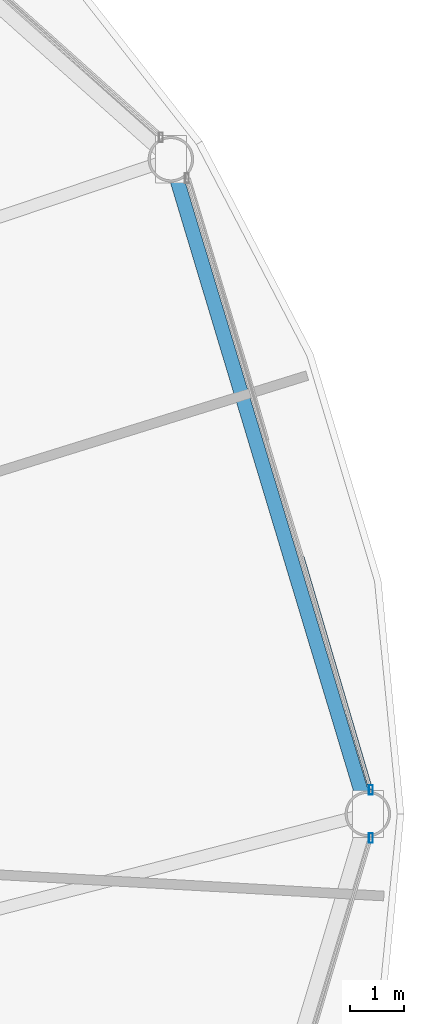
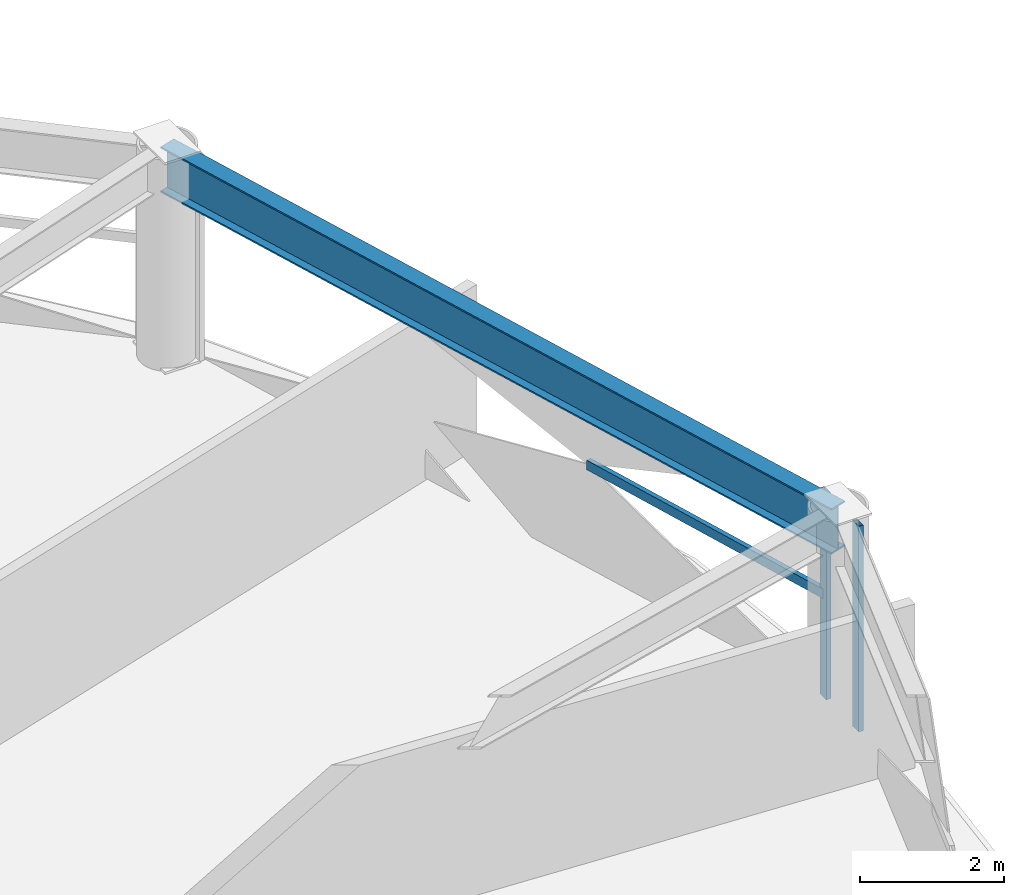
# One storey, part 12 of 29: 3 members, 1 beam, 2 elements without a shape of their own.
"""IFC4 building model written with IfcOpenShell, lengths in metres."""

from ifc_helpers import new_model, si_unit, direction, frame, origin, origin_2d, place, context, subcontext, project, spatial, hollow_rectangle, i_section, extrude, material, layer, layer_set, material_profile, profile_set, type_object, element, aggregate, save


model = new_model("IFC4")

# Units and contexts
model_context = context("Model", 3, precision=1e-05, world=origin(), true_north=direction((0.0, 1.0)))
body_context = subcontext(model_context, "Body", "Model", "MODEL_VIEW")
ifc_project = project(units=[si_unit("LENGTHUNIT", "METRE"), si_unit("AREAUNIT", "SQUARE_METRE"), si_unit("VOLUMEUNIT", "CUBIC_METRE"), si_unit("PLANEANGLEUNIT", "RADIAN"), si_unit("MASSUNIT", "GRAM", prefix="KILO")], contexts=[model_context])

# Site, building, storey
site_placement = place(None, origin())
site = spatial("IfcSite", under=ifc_project, at=site_placement, CompositionType="ELEMENT")
building_placement = place(site_placement, origin())
building = spatial("IfcBuilding", under=site, at=building_placement, Name="Vantalir Tower", CompositionType="ELEMENT")
storey_placement = place(building_placement, frame((0.0, 0.0, 60.75)))
storey = spatial("IfcBuildingStorey", under=building, at=storey_placement, Name="L14", CompositionType="ELEMENT", Elevation=60.75)

# Beam
ifc_material_1 = material(Name="Steel S460", Category="steel")
ifc_material_profile_1 = material_profile(ifc_material_1, i_section(OverallWidth=0.26806640625, OverallDepth=0.77001953125, WebThickness=0.015625, FlangeThickness=0.025390625, at=origin_2d()), Name="Steel S460")
ifc_profile_set_1 = profile_set([ifc_material_profile_1], Name="Steel S460")
beam_type = type_object("IfcBeamType", Name="BM-RG-762x267", PredefinedType="USERDEFINED", material=ifc_profile_set_1)
beam_placement = place(storey_placement, frame((58.950927734375, 25.0, 3.18505859375), z_axis=(-0.28809870996, 0.957600717063, 0.0), x_axis=(-0.957600717063, -0.28809870996, 0.0)))
element("IfcBeam", 1, at=beam_placement, inside=storey, type_object=beam_type, Name="L14 Circumferential Ring Girder 01", ObjectType="GIRDER", PredefinedType="USERDEFINED", context=body_context, shape_type="SweptSolid", body=[
    extrude(i_section(OverallWidth=0.26806640625, OverallDepth=0.77001953125, WebThickness=0.015625, FlangeThickness=0.025390625, at=origin_2d()), origin(), (0.0, 0.0, 1.0), 12.766357421875),
])

# Curtain wall, member
ifc_material_2 = material(Name="Champagne-silver PVDF aluminium and double-silver Low-E glass", Category="aluminium")
ifc_layer = layer(ifc_material_2, 0.18994140625)
ifc_layer_set = layer_set([ifc_layer], Name="Champagne-silver PVDF aluminium and double-silver Low-E glass")
curtain_wall_type = type_object("IfcCurtainWallType", Name="CW-DIAMOND-Z1", PredefinedType="USERDEFINED", material=ifc_layer_set)
curtain_wall_1_placement = place(storey_placement, origin())
curtain_wall_1 = element("IfcCurtainWall", 2, at=curtain_wall_1_placement, inside=storey, type_object=curtain_wall_type, Name="L14 Quilted Pyramid-Diamond Curtain Wall S01", ObjectType="UNITISED CURTAIN WALL", PredefinedType="USERDEFINED")
ifc_material_3 = material(Name="Champagne-silver PVDF aluminium 6063-T6", Category="aluminium")
ifc_material_profile_2 = material_profile(ifc_material_3, hollow_rectangle(XDim=0.074951171875, YDim=0.179931640625, WallThickness=0.00390625, at=origin_2d()), Name="Champagne-silver PVDF aluminium 6063-T6")
ifc_profile_set_2 = profile_set([ifc_material_profile_2], Name="Champagne-silver PVDF aluminium 6063-T6")
member_type_1 = type_object("IfcMemberType", Name="CWM-180x75", PredefinedType="MULLION", material=ifc_profile_set_2)
member_1_placement = place(storey_placement, frame((59.006103515625, 25.449951171875, 0.044921875), z_axis=(0.0, 0.0, 1.0), x_axis=(1.0, 0.0, 0.0)))
member_1 = element("IfcMember", 3, at=member_1_placement, type_object=member_type_1, Name="CW-L14-S01 Mullion 1", PredefinedType="MULLION", context=body_context, shape_type="SweptSolid", body=[
    extrude(hollow_rectangle(XDim=0.074951171875, YDim=0.179931640625, WallThickness=0.00390625, at=origin_2d()), origin(), (0.0, 0.0, 1.0), 3.47998046875),
])

curtain_wall_2_placement = place(storey_placement, origin())
curtain_wall_2 = element("IfcCurtainWall", 4, at=curtain_wall_2_placement, inside=storey, type_object=curtain_wall_type, Name="L14 Quilted Pyramid-Diamond Curtain Wall S12", ObjectType="UNITISED CURTAIN WALL", PredefinedType="USERDEFINED")
member_2_placement = place(storey_placement, frame((59.006103515625, 24.550048828125, 0.044921875), z_axis=(0.0, 0.0, 1.0), x_axis=(1.0, 0.0, 0.0)))
member_2 = element("IfcMember", 5, at=member_2_placement, type_object=member_type_1, Name="CW-L14-S12 Mullion 2", PredefinedType="MULLION", context=body_context, shape_type="SweptSolid", body=[
    extrude(hollow_rectangle(XDim=0.074951171875, YDim=0.179931640625, WallThickness=0.00390625, at=origin_2d()), origin(), (0.0, 0.0, 1.0), 3.47998046875),
])
aggregate(curtain_wall_2, [member_2])

# Member
ifc_material_profile_3 = material_profile(ifc_material_3, hollow_rectangle(XDim=0.074951171875, YDim=0.159912109375, WallThickness=0.00390625, at=origin_2d()), Name="Champagne-silver PVDF aluminium 6063-T6")
ifc_profile_set_3 = profile_set([ifc_material_profile_3], Name="Champagne-silver PVDF aluminium 6063-T6")
member_type_2 = type_object("IfcMemberType", Name="CWT-160x75", PredefinedType="USERDEFINED", material=ifc_profile_set_3)
member_3_placement = place(storey_placement, frame((59.006103515625, 25.449951171875, 1.784912109375), z_axis=(-0.282849186917, 0.95916439543, 0.0), x_axis=(-0.95916439543, -0.282849186917, 0.0)))
member_3 = element("IfcMember", 6, at=member_3_placement, type_object=member_type_2, Name="CW-L14-S01 Pyramid Fold Ridge Transom", ObjectType="TRANSOM", PredefinedType="USERDEFINED", context=body_context, shape_type="SweptSolid", body=[
    extrude(hollow_rectangle(XDim=0.074951171875, YDim=0.159912109375, WallThickness=0.00390625, at=origin_2d()), origin(), (0.0, 0.0, 1.0), 4.529052734375),
])

aggregate(curtain_wall_1, [member_1, member_3])

save(model, "model.ifc")
